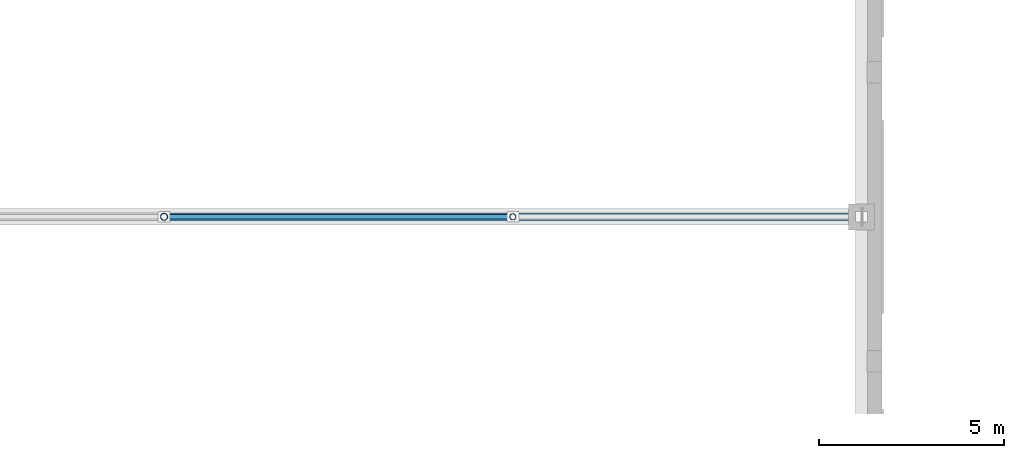
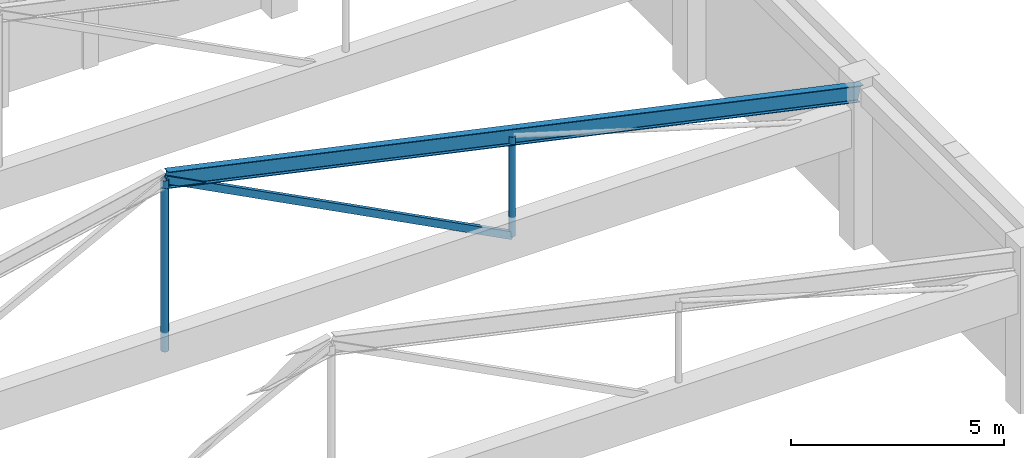
# One storey, part 36 of 105: 3 members, 1 beam.
"""IFC4 building model written with IfcOpenShell, lengths in metres."""

from ifc_helpers import new_model, si_unit, direction, frame, origin, origin_2d, place, context, subcontext, project, spatial, hollow_rectangle, hollow_circle, i_section, extrude, material, material_profile, profile_set, type_object, element, save


model = new_model("IFC4")

# Units and contexts
model_context = context("Model", 3, precision=1e-05, world=origin(), true_north=direction((0.0, 1.0)))
body_context = subcontext(model_context, "Body", "Model", "MODEL_VIEW")
ifc_project = project(units=[si_unit("LENGTHUNIT", "METRE"), si_unit("AREAUNIT", "SQUARE_METRE"), si_unit("VOLUMEUNIT", "CUBIC_METRE"), si_unit("PLANEANGLEUNIT", "RADIAN"), si_unit("MASSUNIT", "GRAM", prefix="KILO")], contexts=[model_context])

# Site, building, storey
site_placement = place(None, origin())
site = spatial("IfcSite", under=ifc_project, at=site_placement, CompositionType="ELEMENT")
building_placement = place(site_placement, origin())
building = spatial("IfcBuilding", under=site, at=building_placement, Name="Pelvatis Terrace Science Centre", CompositionType="ELEMENT")
storey_placement = place(building_placement, frame((0.0, 0.0, 10.199951171875)))
storey = spatial("IfcBuildingStorey", under=building, at=storey_placement, Name="L02", CompositionType="ELEMENT", Elevation=10.199951171875)

# Beam
ifc_material_1 = material(Name="Structural steel S355", Category="steel")
ifc_material_profile_1 = material_profile(ifc_material_1, i_section(OverallWidth=0.19189453125, OverallDepth=0.462890625, WebThickness=0.010498046875, FlangeThickness=0.017578125, FilletRadius=0.012939453125, at=origin_2d()), Name="W460x89")
ifc_profile_set_1 = profile_set([ifc_material_profile_1], Name="Structural steel S355")
beam_type = type_object("IfcBeamType", Name="BM-STL-W460x89", PredefinedType="BEAM", material=ifc_profile_set_1)
beam_placement = place(storey_placement, frame((27.300048828125, 101.39990234375, 8.300048828125), z_axis=(0.977034495262, 0.0, -0.213081193603), x_axis=(0.0, 1.0, 0.0)))
element("IfcBeam", 1, at=beam_placement, inside=storey, type_object=beam_type, Name="Theatre roof truss 5 east top girder", PredefinedType="BEAM", context=body_context, shape_type="SweptSolid", body=[
    extrude(i_section(OverallWidth=0.19189453125, OverallDepth=0.462890625, WebThickness=0.010498046875, FlangeThickness=0.017578125, FilletRadius=0.012939453125, at=origin_2d()), origin(), (0.0, 0.0, 1.0), 19.241943359375),
])

# Members
ifc_material_2 = material(Name="Structural steel S355", Category="steel")
ifc_material_profile_2 = material_profile(ifc_material_2, hollow_rectangle(XDim=0.1201171875, YDim=0.199951171875, WallThickness=0.00634765625, at=origin_2d()), Name="RHS 200x120x6.3")
ifc_profile_set_2 = profile_set([ifc_material_profile_2], Name="Structural steel S355")
member_type_1 = type_object("IfcMemberType", Name="MEM-BRC-RHS200", PredefinedType="BRACE", material=ifc_profile_set_2)
member_1_placement = place(storey_placement, frame((36.699951171875, 101.39990234375, 3.400146484375), z_axis=(-0.886754801101, 0.0, 0.462240113711), x_axis=(0.0, -1.0, 0.0)))
element("IfcMember", 2, at=member_1_placement, inside=storey, type_object=member_type_1, Name="Theatre truss 5 web 6", PredefinedType="BRACE", context=body_context, shape_type="SweptSolid", body=[
    extrude(hollow_rectangle(XDim=0.1201171875, YDim=0.199951171875, WallThickness=0.00634765625, at=origin_2d()), origin(), (0.0, 0.0, 1.0), 10.600341796875),
])
ifc_material_3 = material(Name="Structural steel S355", Category="steel")
ifc_material_profile_3 = material_profile(ifc_material_3, hollow_circle(Radius=0.084228515625, WallThickness=0.00634765625, at=origin_2d()), Name="CHS 168.3x6.3")
ifc_profile_set_3 = profile_set([ifc_material_profile_3], Name="Structural steel S355")
member_type_2 = type_object("IfcMemberType", Name="MEM-STR-CHS168", PredefinedType="STRUT", material=ifc_profile_set_3)
member_2_placement = place(storey_placement, frame((36.699951171875, 101.39990234375, 3.400146484375), z_axis=(0.0, 0.0, 1.0), x_axis=(1.0, 0.0, 0.0)))
element("IfcMember", 3, at=member_2_placement, inside=storey, type_object=member_type_2, Name="Theatre truss 5 web 2", PredefinedType="STRUT", context=body_context, shape_type="SweptSolid", body=[
    extrude(hollow_circle(Radius=0.084228515625, WallThickness=0.00634765625, at=origin_2d()), origin(), (0.0, 0.0, 1.0), 2.849853515625),
])
ifc_material_4 = material(Name="Structural steel S355", Category="steel")
ifc_material_profile_4 = material_profile(ifc_material_4, hollow_circle(Radius=0.096923828125, WallThickness=0.008056640625, at=origin_2d()), Name="CHS 193.7x8.0")
ifc_profile_set_4 = profile_set([ifc_material_profile_4], Name="Structural steel S355")
member_type_3 = type_object("IfcMemberType", Name="MEM-STR-CHS194", PredefinedType="STRUT", material=ifc_profile_set_4)
member_3_placement = place(storey_placement, frame((27.300048828125, 101.39990234375, 3.400146484375), z_axis=(0.0, 0.0, 1.0), x_axis=(1.0, 0.0, 0.0)))
element("IfcMember", 4, at=member_3_placement, inside=storey, type_object=member_type_3, Name="Theatre roof truss 5 king strut", PredefinedType="STRUT", context=body_context, shape_type="SweptSolid", body=[
    extrude(hollow_circle(Radius=0.096923828125, WallThickness=0.008056640625, at=origin_2d()), origin(), (0.0, 0.0, 1.0), 4.89990234375),
])

save(model, "model.ifc")
